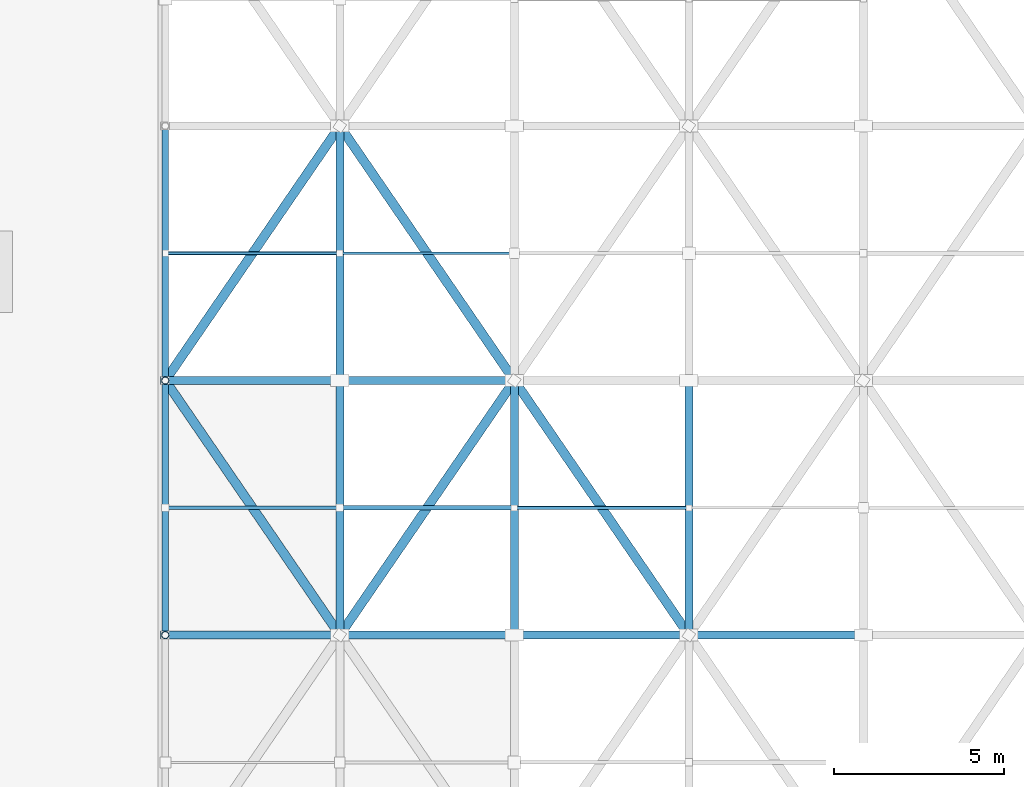
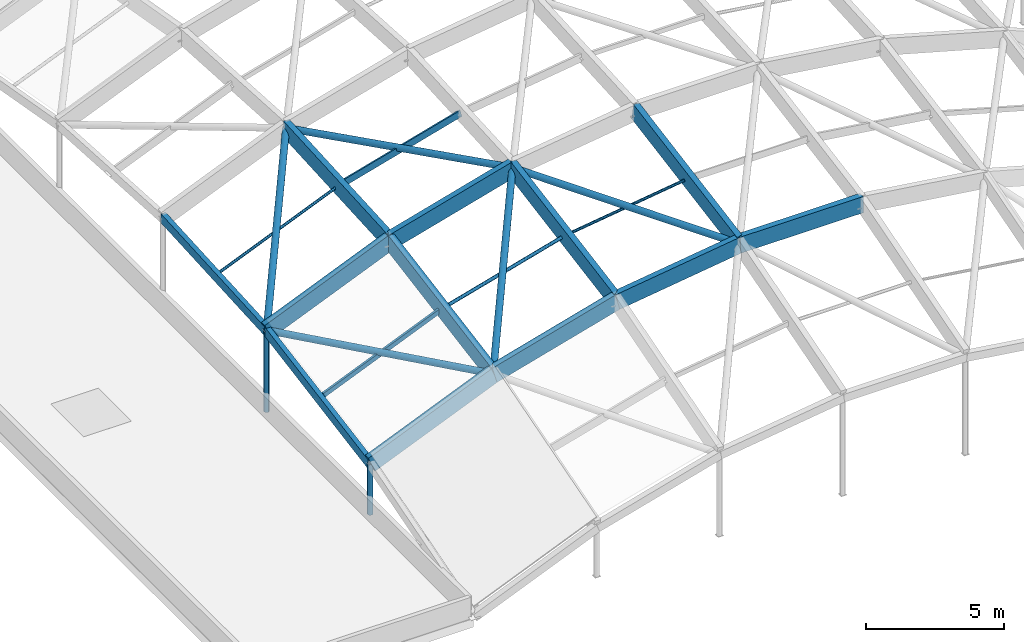
# One storey, part 39 of 81: 24 members.
"""IFC4 building model written with IfcOpenShell, lengths in metres."""

import ifcopenshell
import ifcopenshell.guid

model = None  # the IFC model being written
_history = None  # IfcOwnerHistory: only IFC2X3 demands one
_inside = {}  # id of a spatial element -> (the spatial element, [elements in it])
_under = {}  # id of a project, library or spatial element -> (it, [spatial elements below it])
_declared = {}  # id of a project -> (the project, [libraries it declares])
_typed = {}  # id of a type object -> (the type object, [elements of that type])
_made_of = {}  # id of a material, layer set ... -> (it, [elements and type objects made of it])


def new_model(schema):
    """Start an empty IFC model of exactly this schema.

    Asked for "IFC4X3", IfcOpenShell would pick the latest addendum, in which some entities
    have other attributes; the version numbers below select the first issue.
    IFC2X3 requires an IfcOwnerHistory on every rooted entity: one is made here for all.
    """
    global model, _history
    if schema == "IFC4X3":
        model = ifcopenshell.file(schema_version=(4, 3, 0, 0))
    else:
        model = ifcopenshell.file(schema=schema)
    _inside.clear()
    _under.clear()
    _declared.clear()
    _typed.clear()
    _made_of.clear()
    _history = None
    if model.schema == "IFC2X3":
        org = make("IfcOrganization", Name="unknown")
        user = make(
            "IfcPersonAndOrganization",
            ThePerson=make("IfcPerson", FamilyName="unknown"),
            TheOrganization=org,
        )
        app = make(
            "IfcApplication",
            ApplicationDeveloper=org,
            Version="unknown",
            ApplicationFullName="unknown",
            ApplicationIdentifier="unknown",
        )
        _history = make(
            "IfcOwnerHistory",
            OwningUser=user,
            OwningApplication=app,
            ChangeAction="ADDED",
            CreationDate=0,
        )
    return model


def make(cls, **values):
    """One entity of the class cls with the attributes given. An attribute that is None is left unset."""
    return model.create_entity(
        cls, **{name: value for name, value in values.items() if value is not None}
    )


def rooted(cls, **values):
    """An entity with a GlobalId (a new one), such as an element, a storey or a relation."""
    return make(cls, GlobalId=ifcopenshell.guid.new(), OwnerHistory=_history, **values)


def si_unit(unit_type, name, prefix=None):
    """IfcSIUnit, for example si_unit("LENGTHUNIT", "METRE", prefix="MILLI")."""
    return make("IfcSIUnit", UnitType=unit_type, Prefix=prefix, Name=name)


def assignment(units):
    """IfcUnitAssignment: the units of a project."""
    return None if units is None else make("IfcUnitAssignment", Units=units)


def point(xyz):
    """IfcCartesianPoint."""
    return None if xyz is None else make("IfcCartesianPoint", Coordinates=xyz)


def direction(xyz):
    """IfcDirection."""
    return None if xyz is None else make("IfcDirection", DirectionRatios=xyz)


def frame(location, z_axis=None, x_axis=None):
    """IfcAxis2Placement3D, a coordinate frame: its origin and axes. An axis left out is left unset."""
    return make(
        "IfcAxis2Placement3D",
        Location=point(location),
        Axis=direction(z_axis),
        RefDirection=direction(x_axis),
    )


def frame_2d(location, x_axis=None):
    """IfcAxis2Placement2D, a coordinate frame in the plane: its origin and x axis."""
    return make(
        "IfcAxis2Placement2D", Location=point(location), RefDirection=direction(x_axis)
    )


def origin():
    """The frame at (0, 0, 0) with its axes left unset."""
    return frame((0.0, 0.0, 0.0))


def origin_2d():
    """The frame at (0, 0) in the plane with its x axis left unset."""
    return frame_2d((0.0, 0.0))


def place(relative_to, where):
    """IfcLocalPlacement: puts the frame where relative to a parent placement (None: the world)."""
    return make(
        "IfcLocalPlacement", PlacementRelTo=relative_to, RelativePlacement=where
    )


def context(
    kind, dimensions, precision=None, world=None, true_north=None, identifier=None
):
    """IfcGeometricRepresentationContext, for example the 3D "Model" context."""
    return make(
        "IfcGeometricRepresentationContext",
        ContextIdentifier=identifier,
        ContextType=kind,
        CoordinateSpaceDimension=dimensions,
        Precision=precision,
        WorldCoordinateSystem=world,
        TrueNorth=true_north,
    )


def subcontext(parent, identifier, kind, view, scale=None):
    """IfcGeometricRepresentationSubContext, for example "Body" below "Model"."""
    return make(
        "IfcGeometricRepresentationSubContext",
        ContextIdentifier=identifier,
        ContextType=kind,
        ParentContext=parent,
        TargetScale=scale,
        TargetView=view,
    )


def project(units=None, contexts=None):
    """IfcProject with its units and contexts."""
    return rooted(
        "IfcProject",
        Name="project",
        RepresentationContexts=contexts,
        UnitsInContext=assignment(units),
    )


def spatial(cls, under=None, at=None, **own):
    """A site, building, storey or space (cls), placed at a placement, below another one or the project."""
    s = rooted(cls, ObjectPlacement=at, **own)
    if under is not None:
        _under.setdefault(under.id(), (under, []))[1].append(s)
    return s


def profile(cls, at=None, kind="AREA", **sizes):
    """A parametric profile (cls). Its sizes go by their IFC names, for example OverallWidth=200.0."""
    return make(cls, ProfileType=kind, Position=at, **sizes)


def rectangle(**sizes):
    """IfcRectangleProfileDef."""
    return profile("IfcRectangleProfileDef", **sizes)


def hollow_rectangle(**sizes):
    """IfcRectangleHollowProfileDef."""
    return profile("IfcRectangleHollowProfileDef", **sizes)


def hollow_circle(**sizes):
    """IfcCircleHollowProfileDef."""
    return profile("IfcCircleHollowProfileDef", **sizes)


def extrude(swept, where, along, depth):
    """IfcExtrudedAreaSolid: the profile swept, set in the frame where, extruded along a direction by depth."""
    return make(
        "IfcExtrudedAreaSolid",
        SweptArea=swept,
        Position=where,
        ExtrudedDirection=direction(along),
        Depth=depth,
    )


def shape(context_of_items, identifier, shape_type, items):
    """IfcShapeRepresentation: the items that make up one representation, for example the "Body"."""
    return make(
        "IfcShapeRepresentation",
        ContextOfItems=context_of_items,
        RepresentationIdentifier=identifier,
        RepresentationType=shape_type,
        Items=items,
    )


def material(Name=None, Category=None):
    """IfcMaterial."""
    return make("IfcMaterial", Name=Name, Category=Category)


def material_profile(
    of_material, cross_section, Name=None, Category=None, Priority=None
):
    """IfcMaterialProfile: a cross section and its material."""
    return make(
        "IfcMaterialProfile",
        Name=Name,
        Material=of_material,
        Profile=cross_section,
        Priority=Priority,
        Category=Category,
    )


def profile_set(profiles, Name=None, composite=None):
    """IfcMaterialProfileSet."""
    return make(
        "IfcMaterialProfileSet",
        Name=Name,
        MaterialProfiles=profiles,
        CompositeProfile=composite,
    )


def made_of(thing, what):
    """Note that an element or type object is made of a material, layer set ...; save() writes the relation."""
    if what is not None:
        _made_of.setdefault(what.id(), (what, []))[1].append(thing)
    return thing


def type_object(cls, material=None, **own):
    """A type object (cls), such as IfcWallType, which elements share."""
    return made_of(rooted(cls, **own), material)


def element(
    cls,
    number,
    at=None,
    inside=None,
    cuts=None,
    type_object=None,
    material=None,
    context=None,
    identifier="Body",
    shape_type=None,
    held_by="IfcProductDefinitionShape",
    body=None,
    shapes=None,
    **own,
):
    """One element of the class cls, such as IfcWall. Its Tag is "e" and its number.

    at: its placement. inside: the storey or other place that contains it. cuts: it is an
    opening in that element (IfcRelVoidsElement). A single representation is given by context,
    identifier, shape_type and body (its items); several are given by shapes. held_by: the class
    of the entity that holds the representations. save() writes the other relations.
    """
    e = rooted(cls, Tag="e%d" % number, ObjectPlacement=at, **own)
    if body is not None:
        shapes = [shape(context, identifier, shape_type, body)]
    if shapes is not None:
        e.Representation = make(held_by, Representations=shapes)
    if inside is not None:
        _inside.setdefault(inside.id(), (inside, []))[1].append(e)
    if cuts is not None:
        rooted(
            "IfcRelVoidsElement", RelatingBuildingElement=cuts, RelatedOpeningElement=e
        )
    if type_object is not None:
        _typed.setdefault(type_object.id(), (type_object, []))[1].append(e)
    return made_of(e, material)


def aggregate(whole, parts):
    """IfcRelAggregates: a whole, such as a stair, and the parts it consists of."""
    return rooted("IfcRelAggregates", RelatingObject=whole, RelatedObjects=parts)


def save(model, path):
    """Write the relations noted so far, then the file.

    IfcRelAggregates (storeys below a building ...), IfcRelContainedInSpatialStructure (elements
    in a storey), IfcRelDefinesByType, IfcRelAssociatesMaterial and IfcRelDeclares: one each for
    every whole, place, type object, material and project.
    """
    for whole, parts in _under.values():
        aggregate(whole, parts)
    for where, things in _inside.values():
        rooted(
            "IfcRelContainedInSpatialStructure",
            RelatedElements=things,
            RelatingStructure=where,
        )
    for kind, things in _typed.values():
        rooted("IfcRelDefinesByType", RelatedObjects=things, RelatingType=kind)
    for what, things in _made_of.values():
        rooted("IfcRelAssociatesMaterial", RelatedObjects=things, RelatingMaterial=what)
    for by, libraries in _declared.values():
        rooted("IfcRelDeclares", RelatingContext=by, RelatedDefinitions=libraries)
    model.write(path)


model = new_model("IFC4")

# Units and contexts
model_context = context("Model", 3, precision=1e-05, world=origin(), true_north=direction((0.0, 1.0)))
body_context = subcontext(model_context, "Body", "Model", "MODEL_VIEW")
ifc_project = project(units=[si_unit("LENGTHUNIT", "METRE"), si_unit("AREAUNIT", "SQUARE_METRE"), si_unit("VOLUMEUNIT", "CUBIC_METRE"), si_unit("PLANEANGLEUNIT", "RADIAN"), si_unit("MASSUNIT", "GRAM", prefix="KILO")], contexts=[model_context])

# Site, building, storey
site_placement = place(None, origin())
site = spatial("IfcSite", under=ifc_project, at=site_placement, CompositionType="ELEMENT")
building_placement = place(site_placement, origin())
building = spatial("IfcBuilding", under=site, at=building_placement, Name="Marnridge Secondary College", CompositionType="ELEMENT")
storey_placement = place(building_placement, frame((0.0, 0.0, 8.5)))
storey = spatial("IfcBuildingStorey", under=building, at=storey_placement, Name="L02", CompositionType="ELEMENT", Elevation=8.5)

# Members
ifc_material_1 = material(Name="Cold-formed steel Grade C350L0 (AS/NZS 1163, fy = 350 MPa)", Category="steel")
ifc_material_profile_1 = material_profile(ifc_material_1, hollow_circle(Radius=0.109619140625, WallThickness=0.00830078125, at=origin_2d()), Name="219.1x8.2CHS")
ifc_profile_set_1 = profile_set([ifc_material_profile_1], Name="Cold-formed steel Grade C350L0 (AS/NZS 1163, fy = 350 MPa)")
member_type_1 = type_object("IfcMemberType", Name="MB-GS-CHS219", PredefinedType="BRACE", material=ifc_profile_set_1)
member_1_placement = place(storey_placement, frame((135.0, 82.5, 0.090087890625), z_axis=(0.0, 0.0, 1.0), x_axis=(1.0, 0.0, 0.0)))
element("IfcMember", 1, at=member_1_placement, inside=storey, type_object=member_type_1, Name="Gridshell boundary post GSP-0001", PredefinedType="BRACE", context=body_context, shape_type="SweptSolid", body=[
    extrude(hollow_circle(Radius=0.109619140625, WallThickness=0.00830078125, at=origin_2d()), origin(), (0.0, 0.0, 1.0), 2.252197265625),
])
member_2_placement = place(storey_placement, frame((135.0, 90.0, 0.090087890625), z_axis=(0.0, 0.0, 1.0), x_axis=(1.0, 0.0, 0.0)))
element("IfcMember", 2, at=member_2_placement, inside=storey, type_object=member_type_1, Name="Gridshell boundary post GSP-0002", PredefinedType="BRACE", context=body_context, shape_type="SweptSolid", body=[
    extrude(hollow_circle(Radius=0.109619140625, WallThickness=0.00830078125, at=origin_2d()), origin(), (0.0, 0.0, 1.0), 3.58544921875),
])
ifc_material_2 = material(Name="Cold-formed steel Grade C350L0 (AS/NZS 1163, fy = 350 MPa)", Category="steel")
ifc_material_profile_2 = material_profile(ifc_material_2, hollow_circle(Radius=0.136474609375, WallThickness=0.00927734375, at=origin_2d()), Name="273.1x9.3CHS")
ifc_profile_set_2 = profile_set([ifc_material_profile_2], Name="Cold-formed steel Grade C350L0 (AS/NZS 1163, fy = 350 MPa)")
member_type_2 = type_object("IfcMemberType", Name="MB-GS-CHS273", PredefinedType="BRACE", material=ifc_profile_set_2)
member_3_placement = place(storey_placement, frame((140.142822265625, 82.5, 4.477294921875), z_axis=(-0.563230747854, 0.821383744319, -0.089999273548), x_axis=(-0.824730640628, -0.565525746902, 0.0)))
element("IfcMember", 3, at=member_3_placement, inside=storey, type_object=member_type_2, Name="Gridshell member GR-0099", PredefinedType="BRACE", context=body_context, shape_type="SweptSolid", body=[
    extrude(hollow_circle(Radius=0.136474609375, WallThickness=0.00927734375, at=origin_2d()), origin(), (0.0, 0.0, 1.0), 9.130859375),
])
member_4_placement = place(storey_placement, frame((135.0, 90.0, 3.655517578125), z_axis=(0.543745087666, 0.792966963831, 0.274853913765), x_axis=(-0.824730640628, 0.565525746902, 0.0)))
element("IfcMember", 4, at=member_4_placement, inside=storey, type_object=member_type_2, Name="Gridshell member GR-0100", PredefinedType="BRACE", context=body_context, shape_type="SweptSolid", body=[
    extrude(hollow_circle(Radius=0.136474609375, WallThickness=0.00927734375, at=origin_2d()), origin(), (0.0, 0.0, 1.0), 9.458251953125),
])
member_5_placement = place(storey_placement, frame((140.142822265625, 82.5, 4.477294921875), z_axis=(0.540985294564, 0.788942238263, 0.291384721202), x_axis=(-0.824730640628, 0.565525746902, 0.0)))
element("IfcMember", 5, at=member_5_placement, inside=storey, type_object=member_type_2, Name="Gridshell member GR-0105", PredefinedType="BRACE", context=body_context, shape_type="SweptSolid", body=[
    extrude(hollow_circle(Radius=0.136474609375, WallThickness=0.00927734375, at=origin_2d()), origin(), (0.0, 0.0, 1.0), 9.50634765625),
])
member_6_placement = place(storey_placement, frame((145.28564453125, 90.0, 7.247314453125), z_axis=(-0.562189522386, 0.819865280213, -0.108461344362), x_axis=(-0.824730640628, -0.565525746902, 0.0)))
element("IfcMember", 6, at=member_6_placement, inside=storey, type_object=member_type_2, Name="Gridshell member GR-0106", PredefinedType="BRACE", context=body_context, shape_type="SweptSolid", body=[
    extrude(hollow_circle(Radius=0.136474609375, WallThickness=0.00927734375, at=origin_2d()), origin(), (0.0, 0.0, 1.0), 9.14794921875),
])
member_7_placement = place(storey_placement, frame((150.4287109375, 82.5, 6.63232421875), z_axis=(-0.564255238618, 0.82283874159, 0.067471705406), x_axis=(-0.824718119143, -0.565544007092, 0.0)))
element("IfcMember", 7, at=member_7_placement, inside=storey, type_object=member_type_2, Name="Gridshell member GR-0111", PredefinedType="BRACE", context=body_context, shape_type="SweptSolid", body=[
    extrude(hollow_circle(Radius=0.136474609375, WallThickness=0.00927734375, at=origin_2d()), origin(), (0.0, 0.0, 1.0), 9.11474609375),
])
ifc_material_3 = material(Name="Glulam timber GL18", Category="wood")
ifc_material_profile_3 = material_profile(ifc_material_3, rectangle(XDim=0.239990234375, YDim=0.719970703125, at=origin_2d()), Name="GL18 240x720")
ifc_profile_set_3 = profile_set([ifc_material_profile_3], Name="Glulam timber GL18")
member_type_3 = type_object("IfcMemberType", Name="MB-GS-GL720", PredefinedType="CHORD", material=ifc_profile_set_3)
member_8_placement = place(storey_placement, frame((140.142822265625, 82.5, 4.477294921875), z_axis=(0.0, 0.984558825488, 0.175054046381), x_axis=(-1.0, 0.0, 0.0)))
element("IfcMember", 8, at=member_8_placement, inside=storey, type_object=member_type_3, Name="Gridshell member GR-0008", PredefinedType="CHORD", context=body_context, shape_type="SweptSolid", body=[
    extrude(rectangle(XDim=0.239990234375, YDim=0.719970703125, at=origin_2d()), origin(), (0.0, 0.0, 1.0), 7.61767578125),
])
member_9_placement = place(storey_placement, frame((140.142822265625, 90.0, 5.810791015625), z_axis=(0.0, 0.998249633752, 0.059141091583), x_axis=(-1.0, 0.0, 0.0)))
element("IfcMember", 9, at=member_9_placement, inside=storey, type_object=member_type_3, Name="Gridshell member GR-0009", PredefinedType="CHORD", context=body_context, shape_type="SweptSolid", body=[
    extrude(rectangle(XDim=0.239990234375, YDim=0.719970703125, at=origin_2d()), origin(), (0.0, 0.0, 1.0), 7.51318359375),
])
for number, where, z_axis, x_axis, name in (
    (10, (145.28564453125, 82.5, 5.9140625), (0.0, 0.984564348782, 0.175022978799), (-1.0, 0.0, 0.0), "Gridshell member GR-0014"),
    (11, (150.4287109375, 82.5, 6.63232421875), (0.0, 0.984558825488, 0.175054046381), (-1.0, 0.0, 0.0), "Gridshell member GR-0020"),
):
    element("IfcMember", number, at=place(storey_placement, frame(where, z_axis=z_axis, x_axis=x_axis)), inside=storey, type_object=member_type_3, Name=name, PredefinedType="CHORD", context=body_context, shape_type="SweptSolid", body=[
        extrude(rectangle(XDim=0.239990234375, YDim=0.719970703125, at=origin_2d()), origin(), (0.0, 0.0, 1.0), 7.61767578125),
    ])
member_10_placement = place(storey_placement, frame((135.0, 82.5, 2.322265625), z_axis=(0.922299118379, 0.0, 0.386476824967), x_axis=(0.0, 1.0, 0.0)))
element("IfcMember", 12, at=member_10_placement, inside=storey, type_object=member_type_3, Name="Gridshell member GR-0056", PredefinedType="CHORD", context=body_context, shape_type="SweptSolid", body=[
    extrude(rectangle(XDim=0.239990234375, YDim=0.719970703125, at=origin_2d()), origin(), (0.0, 0.0, 1.0), 5.576171875),
])
member_11_placement = place(storey_placement, frame((140.142822265625, 82.5, 4.477294921875), z_axis=(0.963120557911, 0.0, 0.269070234194), x_axis=(0.0, 1.0, 0.0)))
element("IfcMember", 13, at=member_11_placement, inside=storey, type_object=member_type_3, Name="Gridshell member GR-0057", PredefinedType="CHORD", context=body_context, shape_type="SweptSolid", body=[
    extrude(rectangle(XDim=0.239990234375, YDim=0.719970703125, at=origin_2d()), origin(), (0.0, 0.0, 1.0), 5.33984375),
])
member_12_placement = place(storey_placement, frame((145.28564453125, 82.5, 5.9140625), z_axis=(0.990388427346, 0.0, 0.138314001389), x_axis=(0.0, 1.0, 0.0)))
element("IfcMember", 14, at=member_12_placement, inside=storey, type_object=member_type_3, Name="Gridshell member GR-0058", PredefinedType="CHORD", context=body_context, shape_type="SweptSolid", body=[
    extrude(rectangle(XDim=0.239990234375, YDim=0.719970703125, at=origin_2d()), origin(), (0.0, 0.0, 1.0), 5.19287109375),
])
member_13_placement = place(storey_placement, frame((150.4287109375, 82.5, 6.63232421875), z_axis=(1.0, 0.0, 0.0), x_axis=(0.0, 1.0, 0.0)))
element("IfcMember", 15, at=member_13_placement, inside=storey, type_object=member_type_3, Name="Gridshell member GR-0059", PredefinedType="CHORD", context=body_context, shape_type="SweptSolid", body=[
    extrude(rectangle(XDim=0.239990234375, YDim=0.719970703125, at=origin_2d()), origin(), (0.0, 0.0, 1.0), 5.142578125),
])
member_14_placement = place(storey_placement, frame((135.0, 90.0, 3.655517578125), z_axis=(0.922283511389, 0.0, 0.386514067816), x_axis=(0.0, 1.0, 0.0)))
element("IfcMember", 16, at=member_14_placement, inside=storey, type_object=member_type_3, Name="Gridshell member GR-0063", PredefinedType="CHORD", context=body_context, shape_type="SweptSolid", body=[
    extrude(rectangle(XDim=0.239990234375, YDim=0.719970703125, at=origin_2d()), origin(), (0.0, 0.0, 1.0), 5.576171875),
])
member_15_placement = place(storey_placement, frame((140.142822265625, 90.0, 5.810791015625), z_axis=(0.963132405681, 0.0, 0.269027822218), x_axis=(0.0, 1.0, 0.0)))
element("IfcMember", 17, at=member_15_placement, inside=storey, type_object=member_type_3, Name="Gridshell member GR-0064", PredefinedType="CHORD", context=body_context, shape_type="SweptSolid", body=[
    extrude(rectangle(XDim=0.239990234375, YDim=0.719970703125, at=origin_2d()), origin(), (0.0, 0.0, 1.0), 5.339599609375),
])
ifc_material_4 = material(Name="Cold-formed steel Grade C350L0 (AS/NZS 1163, fy = 350 MPa)", Category="steel")
ifc_material_profile_4 = material_profile(ifc_material_4, hollow_rectangle(XDim=0.199951171875, YDim=0.39990234375, WallThickness=0.010009765625, at=origin_2d()), Name="400x200x10.0RHS")
ifc_profile_set_4 = profile_set([ifc_material_profile_4], Name="Cold-formed steel Grade C350L0 (AS/NZS 1163, fy = 350 MPa)")
member_type_4 = type_object("IfcMemberType", Name="MB-GS-RHS400", PredefinedType="CHORD", material=ifc_profile_set_4)
member_16_placement = place(storey_placement, frame((135.0, 82.5, 2.322265625), z_axis=(0.0, 0.984564348782, 0.175022978799), x_axis=(-1.0, 0.0, 0.0)))
element("IfcMember", 18, at=member_16_placement, inside=storey, type_object=member_type_4, Name="Gridshell member GR-0002", PredefinedType="CHORD", context=body_context, shape_type="SweptSolid", body=[
    extrude(hollow_rectangle(XDim=0.199951171875, YDim=0.39990234375, WallThickness=0.010009765625, at=origin_2d()), origin(), (0.0, 0.0, 1.0), 7.61767578125),
])
member_17_placement = place(storey_placement, frame((135.0, 90.0, 3.655517578125), z_axis=(0.0, 0.998247714799, 0.059173472938), x_axis=(-1.0, 0.0, 0.0)))
element("IfcMember", 19, at=member_17_placement, inside=storey, type_object=member_type_4, Name="Gridshell member GR-0003", PredefinedType="CHORD", context=body_context, shape_type="SweptSolid", body=[
    extrude(hollow_rectangle(XDim=0.199951171875, YDim=0.39990234375, WallThickness=0.010009765625, at=origin_2d()), origin(), (0.0, 0.0, 1.0), 7.51318359375),
])
ifc_material_5 = material(Name="Cold-formed steel Grade C350L0 (AS/NZS 1163, fy = 350 MPa)", Category="steel")
ifc_material_profile_5 = material_profile(ifc_material_5, hollow_circle(Radius=0.05712890625, WallThickness=0.00439453125, at=origin_2d()), Name="114.3x4.5CHS")
ifc_profile_set_5 = profile_set([ifc_material_profile_5], Name="Cold-formed steel Grade C350L0 (AS/NZS 1163, fy = 350 MPa)")
member_type_5 = type_object("IfcMemberType", Name="MB-PR-CHS114", PredefinedType="PURLIN", material=ifc_profile_set_5)
member_18_placement = place(storey_placement, frame((135.0, 93.75, 3.7978515625), z_axis=(0.922299118379, 0.0, 0.386476824967), x_axis=(0.0, 1.0, 0.0)))
element("IfcMember", 20, at=member_18_placement, inside=storey, type_object=member_type_5, Name="Gridshell purlin PR-0025", PredefinedType="PURLIN", context=body_context, shape_type="SweptSolid", body=[
    extrude(hollow_circle(Radius=0.05712890625, WallThickness=0.00439453125, at=origin_2d()), origin(), (0.0, 0.0, 1.0), 5.576171875),
])
member_19_placement = place(storey_placement, frame((145.28564453125, 86.25, 6.500732421875), z_axis=(0.990388427346, 0.0, 0.138314001389), x_axis=(0.0, 1.0, 0.0)))
element("IfcMember", 21, at=member_19_placement, inside=storey, type_object=member_type_5, Name="Gridshell purlin PR-0036", PredefinedType="PURLIN", context=body_context, shape_type="SweptSolid", body=[
    extrude(hollow_circle(Radius=0.05712890625, WallThickness=0.00439453125, at=origin_2d()), origin(), (0.0, 0.0, 1.0), 5.19287109375),
])
ifc_material_6 = material(Name="Cold-formed steel Grade C350L0 (AS/NZS 1163, fy = 350 MPa)", Category="steel")
ifc_material_profile_6 = material_profile(ifc_material_6, hollow_circle(Radius=0.06982421875, WallThickness=0.00537109375, at=origin_2d()), Name="139.7x5.4CHS")
ifc_profile_set_6 = profile_set([ifc_material_profile_6], Name="Cold-formed steel Grade C350L0 (AS/NZS 1163, fy = 350 MPa)")
member_type_6 = type_object("IfcMemberType", Name="MB-PR-CHS139", PredefinedType="PURLIN", material=ifc_profile_set_6)
member_20_placement = place(storey_placement, frame((140.142822265625, 86.25, 5.06396484375), z_axis=(0.963120557911, 0.0, 0.269070234194), x_axis=(0.0, 1.0, 0.0)))
element("IfcMember", 22, at=member_20_placement, inside=storey, type_object=member_type_6, Name="Gridshell purlin PR-0030", PredefinedType="PURLIN", context=body_context, shape_type="SweptSolid", body=[
    extrude(hollow_circle(Radius=0.06982421875, WallThickness=0.00537109375, at=origin_2d()), origin(), (0.0, 0.0, 1.0), 5.33984375),
])
ifc_material_7 = material(Name="Engineered timber LVL E13.2", Category="wood")
ifc_material_profile_7 = material_profile(ifc_material_7, rectangle(XDim=0.06298828125, YDim=0.300048828125, at=origin_2d()), Name="LVL 63x300")
ifc_profile_set_7 = profile_set([ifc_material_profile_7], Name="Engineered timber LVL E13.2")
member_type_7 = type_object("IfcMemberType", Name="MB-PR-LVL300", PredefinedType="PURLIN", material=ifc_profile_set_7)
member_21_placement = place(storey_placement, frame((140.142822265625, 93.75, 5.952880859375), z_axis=(0.963120557911, 0.0, 0.269070234194), x_axis=(0.0, 1.0, 0.0)))
element("IfcMember", 23, at=member_21_placement, inside=storey, type_object=member_type_7, Name="Gridshell purlin PR-0031", PredefinedType="PURLIN", context=body_context, shape_type="SweptSolid", body=[
    extrude(rectangle(XDim=0.06298828125, YDim=0.300048828125, at=origin_2d()), origin(), (0.0, 0.0, 1.0), 5.33984375),
])
ifc_material_8 = material(Name="Cold-formed steel Grade C350L0 (AS/NZS 1163, fy = 350 MPa)", Category="steel")
ifc_material_profile_8 = material_profile(ifc_material_8, hollow_rectangle(XDim=0.10009765625, YDim=0.199951171875, WallThickness=0.006103515625, at=origin_2d()), Name="200x100x6.0RHS")
ifc_profile_set_8 = profile_set([ifc_material_profile_8], Name="Cold-formed steel Grade C350L0 (AS/NZS 1163, fy = 350 MPa)")
member_type_8 = type_object("IfcMemberType", Name="MB-PR-RHS200", PredefinedType="PURLIN", material=ifc_profile_set_8)
member_22_placement = place(storey_placement, frame((135.0, 86.25, 2.908935546875), z_axis=(0.922299118379, 0.0, 0.386476824967), x_axis=(0.0, 1.0, 0.0)))
element("IfcMember", 24, at=member_22_placement, inside=storey, type_object=member_type_8, Name="Gridshell purlin PR-0024", PredefinedType="PURLIN", context=body_context, shape_type="SweptSolid", body=[
    extrude(hollow_rectangle(XDim=0.10009765625, YDim=0.199951171875, WallThickness=0.006103515625, at=origin_2d()), origin(), (0.0, 0.0, 1.0), 5.576171875),
])

save(model, "model.ifc")
